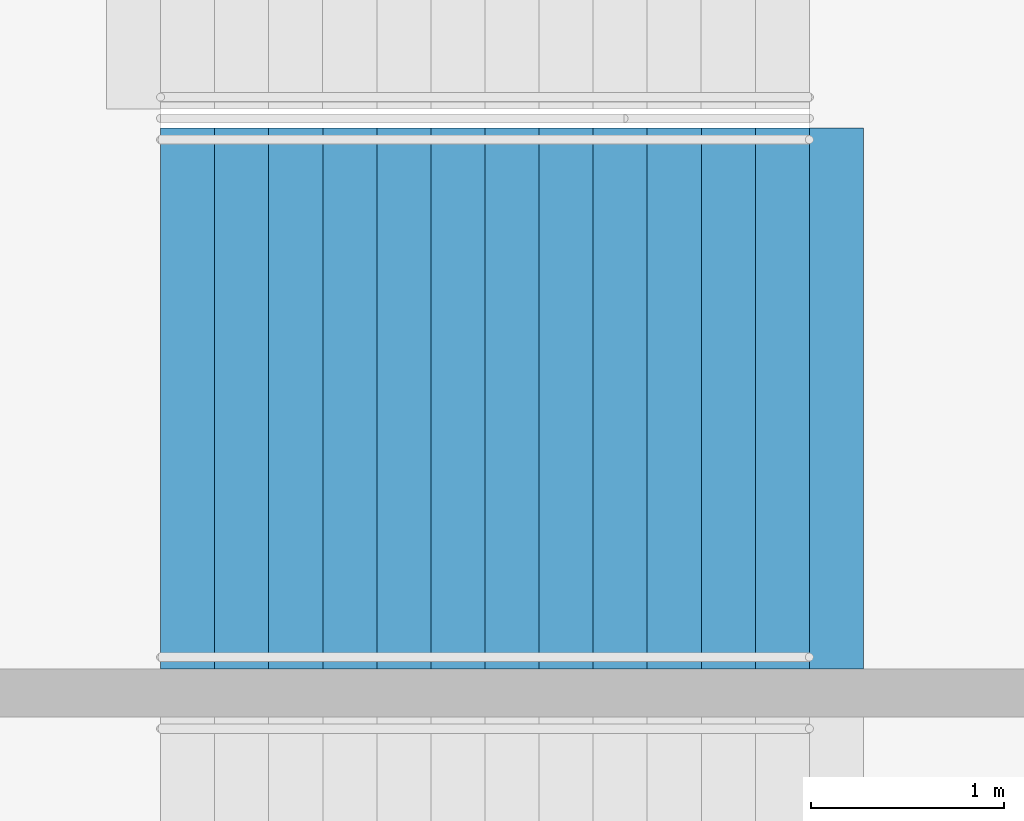
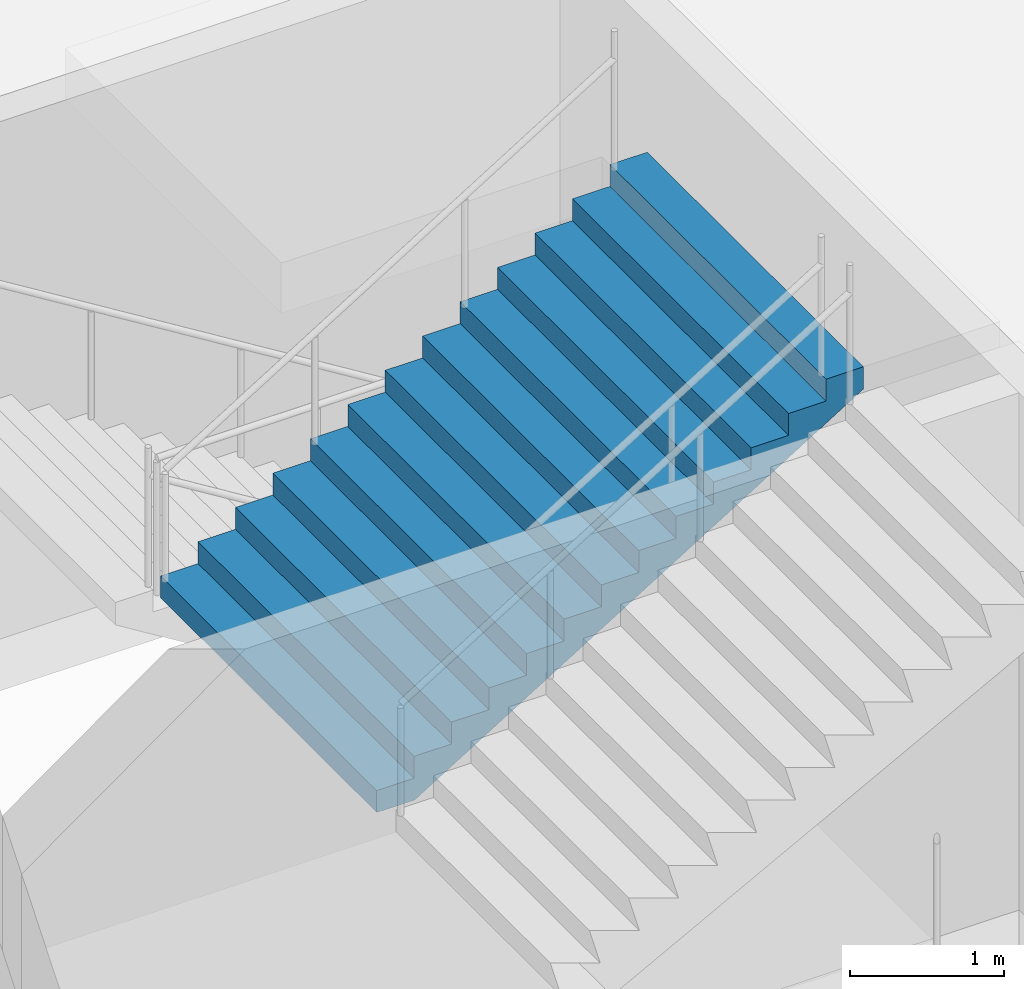
# One storey, part 129 of 199: 1 stair flight, 1 element without a shape of its own.
"""IFC4 building model written with IfcOpenShell, lengths in metres."""

from ifc_helpers import new_model, si_unit, direction, frame, origin, place, context, subcontext, project, spatial, faceted_brep, material, type_object, element, aggregate, save


model = new_model("IFC4")

# Units and contexts
model_context = context("Model", 3, precision=1e-05, world=origin(), true_north=direction((0.0, 1.0)))
body_context = subcontext(model_context, "Body", "Model", "MODEL_VIEW")
ifc_project = project(units=[si_unit("LENGTHUNIT", "METRE"), si_unit("AREAUNIT", "SQUARE_METRE"), si_unit("VOLUMEUNIT", "CUBIC_METRE"), si_unit("PLANEANGLEUNIT", "RADIAN"), si_unit("MASSUNIT", "GRAM", prefix="KILO")], contexts=[model_context])

# Site, building, storey
site_placement = place(None, origin())
site = spatial("IfcSite", under=ifc_project, at=site_placement, CompositionType="ELEMENT")
building_placement = place(site_placement, origin())
building = spatial("IfcBuilding", under=site, at=building_placement, Name="Ogive Plaza Stadium", CompositionType="ELEMENT")
storey_placement = place(building_placement, frame((0.0, 0.0, 9.0)))
storey = spatial("IfcBuildingStorey", under=building, at=storey_placement, Name="L02", CompositionType="ELEMENT", Elevation=9.0)

# Stair, stair flight
ifc_material_1 = material(Name="Concrete C40/50", Category="concrete")
stair_type = type_object("IfcStairType", Name="Exit stair", PredefinedType="STRAIGHT_RUN_STAIR", material=ifc_material_1)
stair_placement = place(storey_placement, origin())
stair = element("IfcStair", 1, at=stair_placement, inside=storey, type_object=stair_type, Name="Exit stair ST24A L02 to L03", PredefinedType="STRAIGHT_RUN_STAIR")
ifc_material_2 = material(Name="Concrete C40/50", Category="concrete")
stair_flight_type = type_object("IfcStairFlightType", Name="Exit stair flight", PredefinedType="STRAIGHT", material=ifc_material_2)
stair_flight_placement = place(storey_placement, frame((-79.7099609375, -5.97509765625, 2.25), z_axis=(0.0, 0.0, 1.0), x_axis=(1.0, 0.0, 0.0)))
stair_flight = element("IfcStairFlight", 2, at=stair_flight_placement, type_object=stair_flight_type, Name="ST24A flight 2", NumberOfRisers=13, NumberOfTreads=12, PredefinedType="STRAIGHT", RiserHeight=0.173076923, TreadLength=0.28, context=body_context, shape_type="Brep", body=[
    faceted_brep([(0.28515625, -1.39990234375, 0.0), (3.639892578125, -1.39990234375, 2.07373046875), (3.639892578125, -1.39990234375, 2.25), (3.360107421875, -1.39990234375, 2.25), (3.360107421875, -1.39990234375, 2.076904296875), (3.080078125, -1.39990234375, 2.076904296875), (3.080078125, -1.39990234375, 1.90380859375), (2.800048828125, -1.39990234375, 1.90380859375), (2.800048828125, -1.39990234375, 1.730712890625), (2.52001953125, -1.39990234375, 1.730712890625), (2.52001953125, -1.39990234375, 1.5576171875), (2.239990234375, -1.39990234375, 1.5576171875), (2.239990234375, -1.39990234375, 1.384521484375), (1.9599609375, -1.39990234375, 1.384521484375), (1.9599609375, -1.39990234375, 1.21142578125), (1.679931640625, -1.39990234375, 1.21142578125), (1.679931640625, -1.39990234375, 1.03857421875), (1.39990234375, -1.39990234375, 1.03857421875), (1.39990234375, -1.39990234375, 0.865478515625), (1.1201171875, -1.39990234375, 0.865478515625), (1.1201171875, -1.39990234375, 0.6923828125), (0.840087890625, -1.39990234375, 0.6923828125), (0.840087890625, -1.39990234375, 0.519287109375), (0.56005859375, -1.39990234375, 0.519287109375), (0.56005859375, -1.39990234375, 0.34619140625), (0.280029296875, -1.39990234375, 0.34619140625), (0.280029296875, -1.39990234375, 0.173095703125), (0.0, -1.39990234375, 0.173095703125), (0.0, -1.39990234375, 0.0), (0.0, 1.39990234375, 0.0), (0.0, 1.39990234375, 0.173095703125), (0.280029296875, 1.39990234375, 0.173095703125), (0.280029296875, 1.39990234375, 0.34619140625), (0.56005859375, 1.39990234375, 0.34619140625), (0.56005859375, 1.39990234375, 0.519287109375), (0.840087890625, 1.39990234375, 0.519287109375), (0.840087890625, 1.39990234375, 0.6923828125), (1.1201171875, 1.39990234375, 0.6923828125), (1.1201171875, 1.39990234375, 0.865478515625), (1.39990234375, 1.39990234375, 0.865478515625), (1.39990234375, 1.39990234375, 1.03857421875), (1.679931640625, 1.39990234375, 1.03857421875), (1.679931640625, 1.39990234375, 1.21142578125), (1.9599609375, 1.39990234375, 1.21142578125), (1.9599609375, 1.39990234375, 1.384521484375), (2.239990234375, 1.39990234375, 1.384521484375), (2.239990234375, 1.39990234375, 1.5576171875), (2.52001953125, 1.39990234375, 1.5576171875), (2.52001953125, 1.39990234375, 1.730712890625), (2.800048828125, 1.39990234375, 1.730712890625), (2.800048828125, 1.39990234375, 1.90380859375), (3.080078125, 1.39990234375, 1.90380859375), (3.080078125, 1.39990234375, 2.076904296875), (3.360107421875, 1.39990234375, 2.076904296875), (3.360107421875, 1.39990234375, 2.25), (3.639892578125, 1.39990234375, 2.25), (3.639892578125, 1.39990234375, 2.07373046875), (0.28515625, 1.39990234375, 0.0), (0.28515625, -1.0888671875, 0.0), (3.639892578125, -1.0888671875, 2.07373046875), (0.28515625, -0.77783203125, 0.0), (3.639892578125, -0.77783203125, 2.07373046875), (0.28515625, -0.466796875, 0.0), (3.639892578125, -0.466796875, 2.07373046875), (0.28515625, -0.155517578125, 0.0), (3.639892578125, -0.155517578125, 2.07373046875), (0.28515625, 0.155517578125, 0.0), (3.639892578125, 0.155517578125, 2.07373046875), (0.28515625, 0.466796875, 0.0), (3.639892578125, 0.466796875, 2.07373046875), (0.28515625, 0.77783203125, 0.0), (3.639892578125, 0.77783203125, 2.07373046875), (0.28515625, 1.0888671875, 0.0), (3.639892578125, 1.0888671875, 2.07373046875), (3.639892578125, -1.0888671875, 2.25), (3.639892578125, -0.77783203125, 2.25), (3.639892578125, -0.466796875, 2.25), (3.639892578125, -0.155517578125, 2.25), (3.639892578125, 0.155517578125, 2.25), (3.639892578125, 0.466796875, 2.25), (3.639892578125, 0.77783203125, 2.25), (3.639892578125, 1.0888671875, 2.25), (3.360107421875, -1.0888671875, 2.25), (3.360107421875, -0.77783203125, 2.25), (3.360107421875, -0.466796875, 2.25), (3.360107421875, -0.155517578125, 2.25), (3.360107421875, 0.155517578125, 2.25), (3.360107421875, 0.466796875, 2.25), (3.360107421875, 0.77783203125, 2.25), (3.360107421875, 1.0888671875, 2.25), (3.360107421875, -1.0888671875, 2.076904296875), (3.360107421875, -0.77783203125, 2.076904296875), (3.360107421875, -0.466796875, 2.076904296875), (3.360107421875, -0.155517578125, 2.076904296875), (3.360107421875, 0.155517578125, 2.076904296875), (3.360107421875, 0.466796875, 2.076904296875), (3.360107421875, 0.77783203125, 2.076904296875), (3.360107421875, 1.0888671875, 2.076904296875), (3.080078125, -1.0888671875, 2.076904296875), (3.080078125, -0.77783203125, 2.076904296875), (3.080078125, -0.466796875, 2.076904296875), (3.080078125, -0.155517578125, 2.076904296875), (3.080078125, 0.155517578125, 2.076904296875), (3.080078125, 0.466796875, 2.076904296875), (3.080078125, 0.77783203125, 2.076904296875), (3.080078125, 1.0888671875, 2.076904296875), (3.080078125, -1.0888671875, 1.90380859375), (3.080078125, -0.77783203125, 1.90380859375), (3.080078125, -0.466796875, 1.90380859375), (3.080078125, -0.155517578125, 1.90380859375), (3.080078125, 0.155517578125, 1.90380859375), (3.080078125, 0.466796875, 1.90380859375), (3.080078125, 0.77783203125, 1.90380859375), (3.080078125, 1.0888671875, 1.90380859375), (2.800048828125, -1.0888671875, 1.90380859375), (2.800048828125, -0.77783203125, 1.90380859375), (2.800048828125, -0.466796875, 1.90380859375), (2.800048828125, -0.155517578125, 1.90380859375), (2.800048828125, 0.155517578125, 1.90380859375), (2.800048828125, 0.466796875, 1.90380859375), (2.800048828125, 0.77783203125, 1.90380859375), (2.800048828125, 1.0888671875, 1.90380859375), (2.800048828125, -1.0888671875, 1.730712890625), (2.800048828125, -0.77783203125, 1.730712890625), (2.800048828125, -0.466796875, 1.730712890625), (2.800048828125, -0.155517578125, 1.730712890625), (2.800048828125, 0.155517578125, 1.730712890625), (2.800048828125, 0.466796875, 1.730712890625), (2.800048828125, 0.77783203125, 1.730712890625), (2.800048828125, 1.0888671875, 1.730712890625), (2.52001953125, -1.0888671875, 1.730712890625), (2.52001953125, -0.77783203125, 1.730712890625), (2.52001953125, -0.466796875, 1.730712890625), (2.52001953125, -0.155517578125, 1.730712890625), (2.52001953125, 0.155517578125, 1.730712890625), (2.52001953125, 0.466796875, 1.730712890625), (2.52001953125, 0.77783203125, 1.730712890625), (2.52001953125, 1.0888671875, 1.730712890625), (2.52001953125, -1.0888671875, 1.5576171875), (2.52001953125, -0.77783203125, 1.5576171875), (2.52001953125, -0.466796875, 1.5576171875), (2.52001953125, -0.155517578125, 1.5576171875), (2.52001953125, 0.155517578125, 1.5576171875), (2.52001953125, 0.466796875, 1.5576171875), (2.52001953125, 0.77783203125, 1.5576171875), (2.52001953125, 1.0888671875, 1.5576171875), (2.239990234375, -1.0888671875, 1.5576171875), (2.239990234375, -0.77783203125, 1.5576171875), (2.239990234375, -0.466796875, 1.5576171875), (2.239990234375, -0.155517578125, 1.5576171875), (2.239990234375, 0.155517578125, 1.5576171875), (2.239990234375, 0.466796875, 1.5576171875), (2.239990234375, 0.77783203125, 1.5576171875), (2.239990234375, 1.0888671875, 1.5576171875), (2.239990234375, -1.0888671875, 1.384521484375), (2.239990234375, -0.77783203125, 1.384521484375), (2.239990234375, -0.466796875, 1.384521484375), (2.239990234375, -0.155517578125, 1.384521484375), (2.239990234375, 0.155517578125, 1.384521484375), (2.239990234375, 0.466796875, 1.384521484375), (2.239990234375, 0.77783203125, 1.384521484375), (2.239990234375, 1.0888671875, 1.384521484375), (1.9599609375, -1.0888671875, 1.384521484375), (1.9599609375, -0.77783203125, 1.384521484375), (1.9599609375, -0.466796875, 1.384521484375), (1.9599609375, -0.155517578125, 1.384521484375), (1.9599609375, 0.155517578125, 1.384521484375), (1.9599609375, 0.466796875, 1.384521484375), (1.9599609375, 0.77783203125, 1.384521484375), (1.9599609375, 1.0888671875, 1.384521484375), (1.9599609375, -1.0888671875, 1.21142578125), (1.9599609375, -0.77783203125, 1.21142578125), (1.9599609375, -0.466796875, 1.21142578125), (1.9599609375, -0.155517578125, 1.21142578125), (1.9599609375, 0.155517578125, 1.21142578125), (1.9599609375, 0.466796875, 1.21142578125), (1.9599609375, 0.77783203125, 1.21142578125), (1.9599609375, 1.0888671875, 1.21142578125), (1.679931640625, -1.0888671875, 1.21142578125), (1.679931640625, -0.77783203125, 1.21142578125), (1.679931640625, -0.466796875, 1.21142578125), (1.679931640625, -0.155517578125, 1.21142578125), (1.679931640625, 0.155517578125, 1.21142578125), (1.679931640625, 0.466796875, 1.21142578125), (1.679931640625, 0.77783203125, 1.21142578125), (1.679931640625, 1.0888671875, 1.21142578125), (1.679931640625, -1.0888671875, 1.03857421875), (1.679931640625, -0.77783203125, 1.03857421875), (1.679931640625, -0.466796875, 1.03857421875), (1.679931640625, -0.155517578125, 1.03857421875), (1.679931640625, 0.155517578125, 1.03857421875), (1.679931640625, 0.466796875, 1.03857421875), (1.679931640625, 0.77783203125, 1.03857421875), (1.679931640625, 1.0888671875, 1.03857421875), (1.39990234375, -1.0888671875, 1.03857421875), (1.39990234375, -0.77783203125, 1.03857421875), (1.39990234375, -0.466796875, 1.03857421875), (1.39990234375, -0.155517578125, 1.03857421875), (1.39990234375, 0.155517578125, 1.03857421875), (1.39990234375, 0.466796875, 1.03857421875), (1.39990234375, 0.77783203125, 1.03857421875), (1.39990234375, 1.0888671875, 1.03857421875), (1.39990234375, -1.0888671875, 0.865478515625), (1.39990234375, -0.77783203125, 0.865478515625), (1.39990234375, -0.466796875, 0.865478515625), (1.39990234375, -0.155517578125, 0.865478515625), (1.39990234375, 0.155517578125, 0.865478515625), (1.39990234375, 0.466796875, 0.865478515625), (1.39990234375, 0.77783203125, 0.865478515625), (1.39990234375, 1.0888671875, 0.865478515625), (1.1201171875, -1.0888671875, 0.865478515625), (1.1201171875, -0.77783203125, 0.865478515625), (1.1201171875, -0.466796875, 0.865478515625), (1.1201171875, -0.155517578125, 0.865478515625), (1.1201171875, 0.155517578125, 0.865478515625), (1.1201171875, 0.466796875, 0.865478515625), (1.1201171875, 0.77783203125, 0.865478515625), (1.1201171875, 1.0888671875, 0.865478515625), (1.1201171875, -1.0888671875, 0.6923828125), (1.1201171875, -0.77783203125, 0.6923828125), (1.1201171875, -0.466796875, 0.6923828125), (1.1201171875, -0.155517578125, 0.6923828125), (1.1201171875, 0.155517578125, 0.6923828125), (1.1201171875, 0.466796875, 0.6923828125), (1.1201171875, 0.77783203125, 0.6923828125), (1.1201171875, 1.0888671875, 0.6923828125), (0.840087890625, -1.0888671875, 0.6923828125), (0.840087890625, -0.77783203125, 0.6923828125), (0.840087890625, -0.466796875, 0.6923828125), (0.840087890625, -0.155517578125, 0.6923828125), (0.840087890625, 0.155517578125, 0.6923828125), (0.840087890625, 0.466796875, 0.6923828125), (0.840087890625, 0.77783203125, 0.6923828125), (0.840087890625, 1.0888671875, 0.6923828125), (0.840087890625, -1.0888671875, 0.519287109375), (0.840087890625, -0.77783203125, 0.519287109375), (0.840087890625, -0.466796875, 0.519287109375), (0.840087890625, -0.155517578125, 0.519287109375), (0.840087890625, 0.155517578125, 0.519287109375), (0.840087890625, 0.466796875, 0.519287109375), (0.840087890625, 0.77783203125, 0.519287109375), (0.840087890625, 1.0888671875, 0.519287109375), (0.56005859375, -1.0888671875, 0.519287109375), (0.56005859375, -0.77783203125, 0.519287109375), (0.56005859375, -0.466796875, 0.519287109375), (0.56005859375, -0.155517578125, 0.519287109375), (0.56005859375, 0.155517578125, 0.519287109375), (0.56005859375, 0.466796875, 0.519287109375), (0.56005859375, 0.77783203125, 0.519287109375), (0.56005859375, 1.0888671875, 0.519287109375), (0.56005859375, -1.0888671875, 0.34619140625), (0.56005859375, -0.77783203125, 0.34619140625), (0.56005859375, -0.466796875, 0.34619140625), (0.56005859375, -0.155517578125, 0.34619140625), (0.56005859375, 0.155517578125, 0.34619140625), (0.56005859375, 0.466796875, 0.34619140625), (0.56005859375, 0.77783203125, 0.34619140625), (0.56005859375, 1.0888671875, 0.34619140625), (0.280029296875, -1.0888671875, 0.34619140625), (0.280029296875, -0.77783203125, 0.34619140625), (0.280029296875, -0.466796875, 0.34619140625), (0.280029296875, -0.155517578125, 0.34619140625), (0.280029296875, 0.155517578125, 0.34619140625), (0.280029296875, 0.466796875, 0.34619140625), (0.280029296875, 0.77783203125, 0.34619140625), (0.280029296875, 1.0888671875, 0.34619140625), (0.280029296875, -1.0888671875, 0.173095703125), (0.280029296875, -0.77783203125, 0.173095703125), (0.280029296875, -0.466796875, 0.173095703125), (0.280029296875, -0.155517578125, 0.173095703125), (0.280029296875, 0.155517578125, 0.173095703125), (0.280029296875, 0.466796875, 0.173095703125), (0.280029296875, 0.77783203125, 0.173095703125), (0.280029296875, 1.0888671875, 0.173095703125), (0.0, -1.0888671875, 0.173095703125), (0.0, -0.77783203125, 0.173095703125), (0.0, -0.466796875, 0.173095703125), (0.0, -0.155517578125, 0.173095703125), (0.0, 0.155517578125, 0.173095703125), (0.0, 0.466796875, 0.173095703125), (0.0, 0.77783203125, 0.173095703125), (0.0, 1.0888671875, 0.173095703125), (0.0, -1.0888671875, 0.0), (0.0, -0.77783203125, 0.0), (0.0, -0.466796875, 0.0), (0.0, -0.155517578125, 0.0), (0.0, 0.155517578125, 0.0), (0.0, 0.466796875, 0.0), (0.0, 0.77783203125, 0.0), (0.0, 1.0888671875, 0.0)], [[[0, 1, 2, 3, 4, 5, 6, 7, 8, 9, 10, 11, 12, 13, 14, 15, 16, 17, 18, 19, 20, 21, 22, 23, 24, 25, 26, 27, 28]], [[29, 30, 31, 32, 33, 34, 35, 36, 37, 38, 39, 40, 41, 42, 43, 44, 45, 46, 47, 48, 49, 50, 51, 52, 53, 54, 55, 56, 57]], [[0, 58, 59, 1]], [[58, 60, 61, 59]], [[60, 62, 63, 61]], [[62, 64, 65, 63]], [[64, 66, 67, 65]], [[66, 68, 69, 67]], [[68, 70, 71, 69]], [[70, 72, 73, 71]], [[72, 57, 56, 73]], [[1, 59, 74, 2]], [[59, 61, 75, 74]], [[61, 63, 76, 75]], [[63, 65, 77, 76]], [[65, 67, 78, 77]], [[67, 69, 79, 78]], [[69, 71, 80, 79]], [[71, 73, 81, 80]], [[73, 56, 55, 81]], [[2, 74, 82, 3]], [[74, 75, 83, 82]], [[75, 76, 84, 83]], [[76, 77, 85, 84]], [[77, 78, 86, 85]], [[78, 79, 87, 86]], [[79, 80, 88, 87]], [[80, 81, 89, 88]], [[81, 55, 54, 89]], [[3, 82, 90, 4]], [[82, 83, 91, 90]], [[83, 84, 92, 91]], [[84, 85, 93, 92]], [[85, 86, 94, 93]], [[86, 87, 95, 94]], [[87, 88, 96, 95]], [[88, 89, 97, 96]], [[89, 54, 53, 97]], [[4, 90, 98, 5]], [[90, 91, 99, 98]], [[91, 92, 100, 99]], [[92, 93, 101, 100]], [[93, 94, 102, 101]], [[94, 95, 103, 102]], [[95, 96, 104, 103]], [[96, 97, 105, 104]], [[97, 53, 52, 105]], [[5, 98, 106, 6]], [[98, 99, 107, 106]], [[99, 100, 108, 107]], [[100, 101, 109, 108]], [[101, 102, 110, 109]], [[102, 103, 111, 110]], [[103, 104, 112, 111]], [[104, 105, 113, 112]], [[105, 52, 51, 113]], [[6, 106, 114, 7]], [[106, 107, 115, 114]], [[107, 108, 116, 115]], [[108, 109, 117, 116]], [[109, 110, 118, 117]], [[110, 111, 119, 118]], [[111, 112, 120, 119]], [[112, 113, 121, 120]], [[113, 51, 50, 121]], [[7, 114, 122, 8]], [[114, 115, 123, 122]], [[115, 116, 124, 123]], [[116, 117, 125, 124]], [[117, 118, 126, 125]], [[118, 119, 127, 126]], [[119, 120, 128, 127]], [[120, 121, 129, 128]], [[121, 50, 49, 129]], [[8, 122, 130, 9]], [[122, 123, 131, 130]], [[123, 124, 132, 131]], [[124, 125, 133, 132]], [[125, 126, 134, 133]], [[126, 127, 135, 134]], [[127, 128, 136, 135]], [[128, 129, 137, 136]], [[129, 49, 48, 137]], [[9, 130, 138, 10]], [[130, 131, 139, 138]], [[131, 132, 140, 139]], [[132, 133, 141, 140]], [[133, 134, 142, 141]], [[134, 135, 143, 142]], [[135, 136, 144, 143]], [[136, 137, 145, 144]], [[137, 48, 47, 145]], [[10, 138, 146, 11]], [[138, 139, 147, 146]], [[139, 140, 148, 147]], [[140, 141, 149, 148]], [[141, 142, 150, 149]], [[142, 143, 151, 150]], [[143, 144, 152, 151]], [[144, 145, 153, 152]], [[145, 47, 46, 153]], [[11, 146, 154, 12]], [[146, 147, 155, 154]], [[147, 148, 156, 155]], [[148, 149, 157, 156]], [[149, 150, 158, 157]], [[150, 151, 159, 158]], [[151, 152, 160, 159]], [[152, 153, 161, 160]], [[153, 46, 45, 161]], [[12, 154, 162, 13]], [[154, 155, 163, 162]], [[155, 156, 164, 163]], [[156, 157, 165, 164]], [[157, 158, 166, 165]], [[158, 159, 167, 166]], [[159, 160, 168, 167]], [[160, 161, 169, 168]], [[161, 45, 44, 169]], [[13, 162, 170, 14]], [[162, 163, 171, 170]], [[163, 164, 172, 171]], [[164, 165, 173, 172]], [[165, 166, 174, 173]], [[166, 167, 175, 174]], [[167, 168, 176, 175]], [[168, 169, 177, 176]], [[169, 44, 43, 177]], [[14, 170, 178, 15]], [[170, 171, 179, 178]], [[171, 172, 180, 179]], [[172, 173, 181, 180]], [[173, 174, 182, 181]], [[174, 175, 183, 182]], [[175, 176, 184, 183]], [[176, 177, 185, 184]], [[177, 43, 42, 185]], [[15, 178, 186, 16]], [[178, 179, 187, 186]], [[179, 180, 188, 187]], [[180, 181, 189, 188]], [[181, 182, 190, 189]], [[182, 183, 191, 190]], [[183, 184, 192, 191]], [[184, 185, 193, 192]], [[185, 42, 41, 193]], [[16, 186, 194, 17]], [[186, 187, 195, 194]], [[187, 188, 196, 195]], [[188, 189, 197, 196]], [[189, 190, 198, 197]], [[190, 191, 199, 198]], [[191, 192, 200, 199]], [[192, 193, 201, 200]], [[193, 41, 40, 201]], [[17, 194, 202, 18]], [[194, 195, 203, 202]], [[195, 196, 204, 203]], [[196, 197, 205, 204]], [[197, 198, 206, 205]], [[198, 199, 207, 206]], [[199, 200, 208, 207]], [[200, 201, 209, 208]], [[201, 40, 39, 209]], [[18, 202, 210, 19]], [[202, 203, 211, 210]], [[203, 204, 212, 211]], [[204, 205, 213, 212]], [[205, 206, 214, 213]], [[206, 207, 215, 214]], [[207, 208, 216, 215]], [[208, 209, 217, 216]], [[209, 39, 38, 217]], [[19, 210, 218, 20]], [[210, 211, 219, 218]], [[211, 212, 220, 219]], [[212, 213, 221, 220]], [[213, 214, 222, 221]], [[214, 215, 223, 222]], [[215, 216, 224, 223]], [[216, 217, 225, 224]], [[217, 38, 37, 225]], [[20, 218, 226, 21]], [[218, 219, 227, 226]], [[219, 220, 228, 227]], [[220, 221, 229, 228]], [[221, 222, 230, 229]], [[222, 223, 231, 230]], [[223, 224, 232, 231]], [[224, 225, 233, 232]], [[225, 37, 36, 233]], [[21, 226, 234, 22]], [[226, 227, 235, 234]], [[227, 228, 236, 235]], [[228, 229, 237, 236]], [[229, 230, 238, 237]], [[230, 231, 239, 238]], [[231, 232, 240, 239]], [[232, 233, 241, 240]], [[233, 36, 35, 241]], [[22, 234, 242, 23]], [[234, 235, 243, 242]], [[235, 236, 244, 243]], [[236, 237, 245, 244]], [[237, 238, 246, 245]], [[238, 239, 247, 246]], [[239, 240, 248, 247]], [[240, 241, 249, 248]], [[241, 35, 34, 249]], [[23, 242, 250, 24]], [[242, 243, 251, 250]], [[243, 244, 252, 251]], [[244, 245, 253, 252]], [[245, 246, 254, 253]], [[246, 247, 255, 254]], [[247, 248, 256, 255]], [[248, 249, 257, 256]], [[249, 34, 33, 257]], [[24, 250, 258, 25]], [[250, 251, 259, 258]], [[251, 252, 260, 259]], [[252, 253, 261, 260]], [[253, 254, 262, 261]], [[254, 255, 263, 262]], [[255, 256, 264, 263]], [[256, 257, 265, 264]], [[257, 33, 32, 265]], [[25, 258, 266, 26]], [[258, 259, 267, 266]], [[259, 260, 268, 267]], [[260, 261, 269, 268]], [[261, 262, 270, 269]], [[262, 263, 271, 270]], [[263, 264, 272, 271]], [[264, 265, 273, 272]], [[265, 32, 31, 273]], [[26, 266, 274, 27]], [[266, 267, 275, 274]], [[267, 268, 276, 275]], [[268, 269, 277, 276]], [[269, 270, 278, 277]], [[270, 271, 279, 278]], [[271, 272, 280, 279]], [[272, 273, 281, 280]], [[273, 31, 30, 281]], [[27, 274, 282, 28]], [[274, 275, 283, 282]], [[275, 276, 284, 283]], [[276, 277, 285, 284]], [[277, 278, 286, 285]], [[278, 279, 287, 286]], [[279, 280, 288, 287]], [[280, 281, 289, 288]], [[281, 30, 29, 289]], [[28, 282, 58, 0]], [[282, 283, 60, 58]], [[283, 284, 62, 60]], [[284, 285, 64, 62]], [[285, 286, 66, 64]], [[286, 287, 68, 66]], [[287, 288, 70, 68]], [[288, 289, 72, 70]], [[289, 29, 57, 72]]]),
])
aggregate(stair, [stair_flight])

save(model, "model.ifc")
